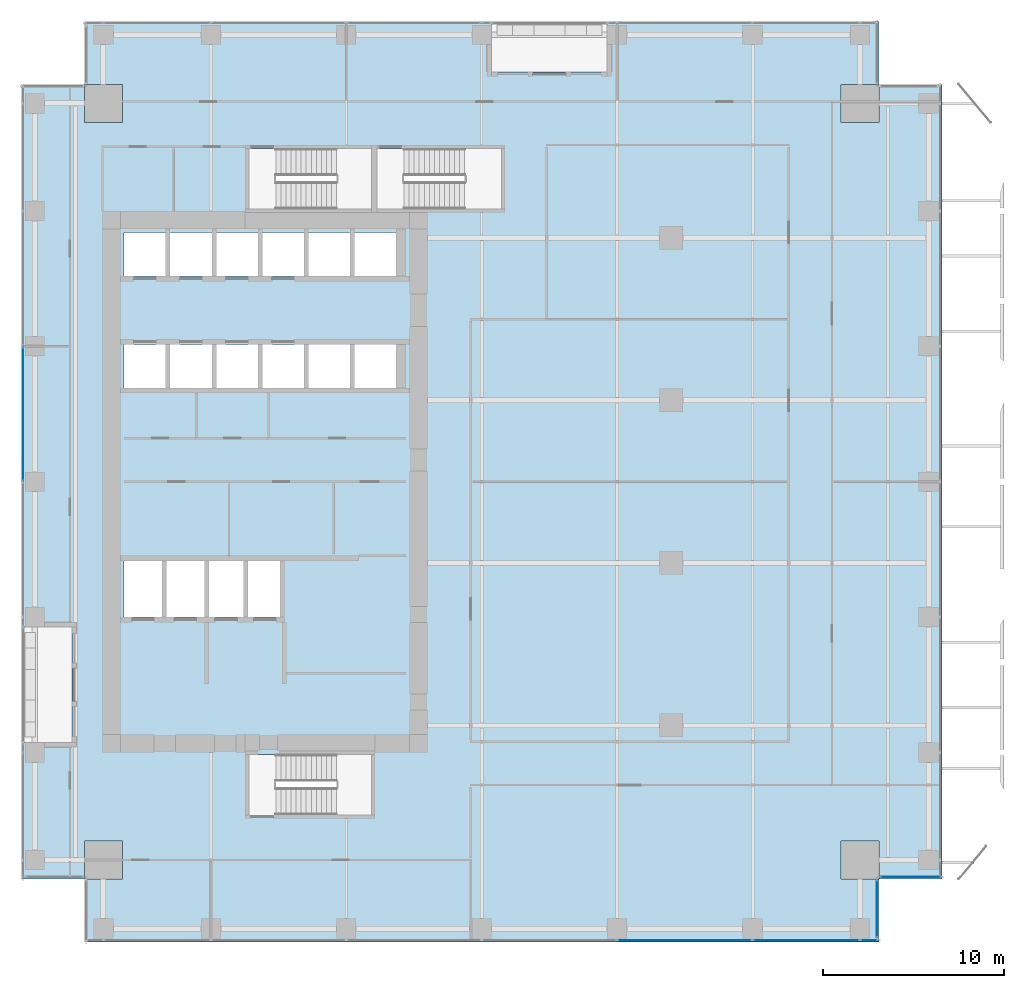
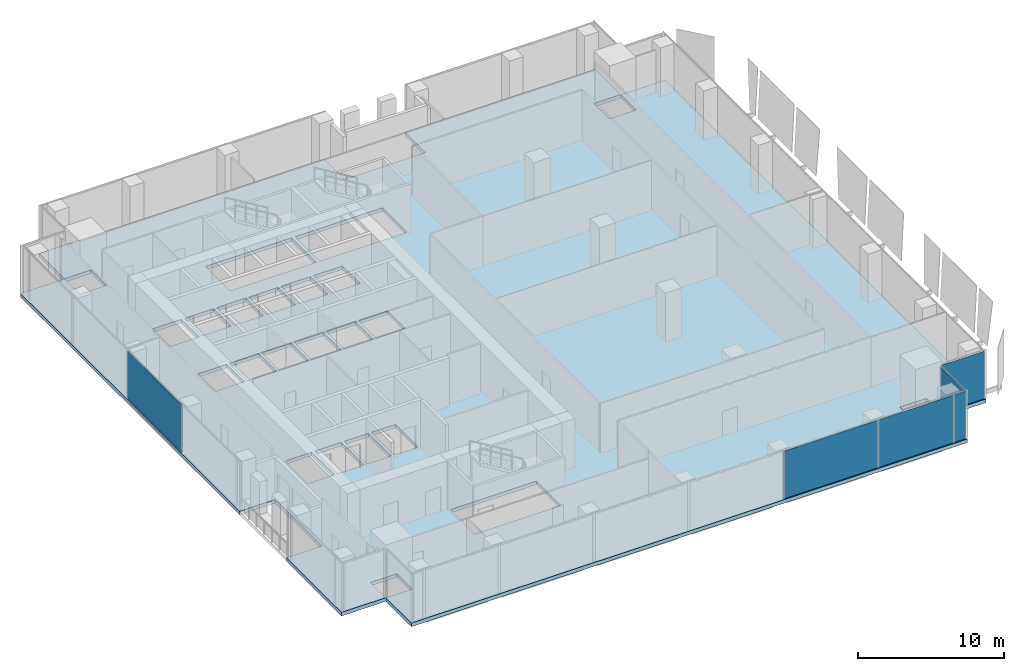
# One storey, part 23 of 33: 6 plates, 1 slab, 4 elements without a shape of their own.
"""IFC4 building model written with IfcOpenShell, lengths in metres."""

import ifcopenshell
import ifcopenshell.guid

model = None  # the IFC model being written
_history = None  # IfcOwnerHistory: only IFC2X3 demands one
_inside = {}  # id of a spatial element -> (the spatial element, [elements in it])
_under = {}  # id of a project, library or spatial element -> (it, [spatial elements below it])
_declared = {}  # id of a project -> (the project, [libraries it declares])
_typed = {}  # id of a type object -> (the type object, [elements of that type])
_made_of = {}  # id of a material, layer set ... -> (it, [elements and type objects made of it])


def new_model(schema):
    """Start an empty IFC model of exactly this schema.

    Asked for "IFC4X3", IfcOpenShell would pick the latest addendum, in which some entities
    have other attributes; the version numbers below select the first issue.
    IFC2X3 requires an IfcOwnerHistory on every rooted entity: one is made here for all.
    """
    global model, _history
    if schema == "IFC4X3":
        model = ifcopenshell.file(schema_version=(4, 3, 0, 0))
    else:
        model = ifcopenshell.file(schema=schema)
    _inside.clear()
    _under.clear()
    _declared.clear()
    _typed.clear()
    _made_of.clear()
    _history = None
    if model.schema == "IFC2X3":
        org = make("IfcOrganization", Name="unknown")
        user = make(
            "IfcPersonAndOrganization",
            ThePerson=make("IfcPerson", FamilyName="unknown"),
            TheOrganization=org,
        )
        app = make(
            "IfcApplication",
            ApplicationDeveloper=org,
            Version="unknown",
            ApplicationFullName="unknown",
            ApplicationIdentifier="unknown",
        )
        _history = make(
            "IfcOwnerHistory",
            OwningUser=user,
            OwningApplication=app,
            ChangeAction="ADDED",
            CreationDate=0,
        )
    return model


def make(cls, **values):
    """One entity of the class cls with the attributes given. An attribute that is None is left unset."""
    return model.create_entity(
        cls, **{name: value for name, value in values.items() if value is not None}
    )


def rooted(cls, **values):
    """An entity with a GlobalId (a new one), such as an element, a storey or a relation."""
    return make(cls, GlobalId=ifcopenshell.guid.new(), OwnerHistory=_history, **values)


def si_unit(unit_type, name, prefix=None):
    """IfcSIUnit, for example si_unit("LENGTHUNIT", "METRE", prefix="MILLI")."""
    return make("IfcSIUnit", UnitType=unit_type, Prefix=prefix, Name=name)


def assignment(units):
    """IfcUnitAssignment: the units of a project."""
    return None if units is None else make("IfcUnitAssignment", Units=units)


def point(xyz):
    """IfcCartesianPoint."""
    return None if xyz is None else make("IfcCartesianPoint", Coordinates=xyz)


def direction(xyz):
    """IfcDirection."""
    return None if xyz is None else make("IfcDirection", DirectionRatios=xyz)


def frame(location, z_axis=None, x_axis=None):
    """IfcAxis2Placement3D, a coordinate frame: its origin and axes. An axis left out is left unset."""
    return make(
        "IfcAxis2Placement3D",
        Location=point(location),
        Axis=direction(z_axis),
        RefDirection=direction(x_axis),
    )


def frame_2d(location, x_axis=None):
    """IfcAxis2Placement2D, a coordinate frame in the plane: its origin and x axis."""
    return make(
        "IfcAxis2Placement2D", Location=point(location), RefDirection=direction(x_axis)
    )


def origin():
    """The frame at (0, 0, 0) with its axes left unset."""
    return frame((0.0, 0.0, 0.0))


def origin_2d():
    """The frame at (0, 0) in the plane with its x axis left unset."""
    return frame_2d((0.0, 0.0))


def place(relative_to, where):
    """IfcLocalPlacement: puts the frame where relative to a parent placement (None: the world)."""
    return make(
        "IfcLocalPlacement", PlacementRelTo=relative_to, RelativePlacement=where
    )


def context(
    kind, dimensions, precision=None, world=None, true_north=None, identifier=None
):
    """IfcGeometricRepresentationContext, for example the 3D "Model" context."""
    return make(
        "IfcGeometricRepresentationContext",
        ContextIdentifier=identifier,
        ContextType=kind,
        CoordinateSpaceDimension=dimensions,
        Precision=precision,
        WorldCoordinateSystem=world,
        TrueNorth=true_north,
    )


def subcontext(parent, identifier, kind, view, scale=None):
    """IfcGeometricRepresentationSubContext, for example "Body" below "Model"."""
    return make(
        "IfcGeometricRepresentationSubContext",
        ContextIdentifier=identifier,
        ContextType=kind,
        ParentContext=parent,
        TargetScale=scale,
        TargetView=view,
    )


def project(units=None, contexts=None):
    """IfcProject with its units and contexts."""
    return rooted(
        "IfcProject",
        Name="project",
        RepresentationContexts=contexts,
        UnitsInContext=assignment(units),
    )


def spatial(cls, under=None, at=None, **own):
    """A site, building, storey or space (cls), placed at a placement, below another one or the project."""
    s = rooted(cls, ObjectPlacement=at, **own)
    if under is not None:
        _under.setdefault(under.id(), (under, []))[1].append(s)
    return s


def polyline(points):
    """IfcPolyline through the points."""
    return make("IfcPolyline", Points=[point(p) for p in points])


def profile(cls, at=None, kind="AREA", **sizes):
    """A parametric profile (cls). Its sizes go by their IFC names, for example OverallWidth=200.0."""
    return make(cls, ProfileType=kind, Position=at, **sizes)


def rectangle(**sizes):
    """IfcRectangleProfileDef."""
    return profile("IfcRectangleProfileDef", **sizes)


def outline(outer, holes=None, kind="AREA"):
    """IfcArbitraryClosedProfileDef: a profile drawn as a closed curve; with holes, ...WithVoids."""
    if holes is None:
        return make("IfcArbitraryClosedProfileDef", ProfileType=kind, OuterCurve=outer)
    return make(
        "IfcArbitraryProfileDefWithVoids",
        ProfileType=kind,
        OuterCurve=outer,
        InnerCurves=holes,
    )


def extrude(swept, where, along, depth):
    """IfcExtrudedAreaSolid: the profile swept, set in the frame where, extruded along a direction by depth."""
    return make(
        "IfcExtrudedAreaSolid",
        SweptArea=swept,
        Position=where,
        ExtrudedDirection=direction(along),
        Depth=depth,
    )


def shape(context_of_items, identifier, shape_type, items):
    """IfcShapeRepresentation: the items that make up one representation, for example the "Body"."""
    return make(
        "IfcShapeRepresentation",
        ContextOfItems=context_of_items,
        RepresentationIdentifier=identifier,
        RepresentationType=shape_type,
        Items=items,
    )


def source(mapping_origin, context_of_items, identifier, shape_type, items):
    """IfcRepresentationMap: a shape defined once, which mapped items show again and again."""
    return make(
        "IfcRepresentationMap",
        MappingOrigin=mapping_origin,
        MappedRepresentation=shape(context_of_items, identifier, shape_type, items),
    )


def transform(
    local_origin,
    x_axis=None,
    y_axis=None,
    z_axis=None,
    scale=None,
    scale2=None,
    scale3=None,
    uniform=True,
):
    """IfcCartesianTransformationOperator3D, or its non-uniform kind. x_axis, y_axis, z_axis: its Axis1, 2, 3."""
    if uniform:
        return make(
            "IfcCartesianTransformationOperator3D",
            Axis1=direction(x_axis),
            Axis2=direction(y_axis),
            LocalOrigin=point(local_origin),
            Scale=scale,
            Axis3=direction(z_axis),
        )
    return make(
        "IfcCartesianTransformationOperator3DnonUniform",
        Axis1=direction(x_axis),
        Axis2=direction(y_axis),
        LocalOrigin=point(local_origin),
        Scale=scale,
        Axis3=direction(z_axis),
        Scale2=scale2,
        Scale3=scale3,
    )


def mapped(mapping_source, mapping_target):
    """IfcMappedItem: shows the shape of a source again, moved by a transform."""
    return make(
        "IfcMappedItem", MappingSource=mapping_source, MappingTarget=mapping_target
    )


def material(Name=None, Category=None):
    """IfcMaterial."""
    return make("IfcMaterial", Name=Name, Category=Category)


def layer(
    of_material, thickness, ventilated=None, Name=None, Category=None, Priority=None
):
    """IfcMaterialLayer: one layer of a wall or slab, of a material (None: an air gap)."""
    return make(
        "IfcMaterialLayer",
        Material=of_material,
        LayerThickness=thickness,
        IsVentilated=ventilated,
        Name=Name,
        Category=Category,
        Priority=Priority,
    )


def layer_set(layers, Name=None):
    """IfcMaterialLayerSet."""
    return make("IfcMaterialLayerSet", MaterialLayers=layers, LayerSetName=Name)


def made_of(thing, what):
    """Note that an element or type object is made of a material, layer set ...; save() writes the relation."""
    if what is not None:
        _made_of.setdefault(what.id(), (what, []))[1].append(thing)
    return thing


def type_object(cls, material=None, **own):
    """A type object (cls), such as IfcWallType, which elements share."""
    return made_of(rooted(cls, **own), material)


def element(
    cls,
    number,
    at=None,
    inside=None,
    cuts=None,
    type_object=None,
    material=None,
    context=None,
    identifier="Body",
    shape_type=None,
    held_by="IfcProductDefinitionShape",
    body=None,
    shapes=None,
    **own,
):
    """One element of the class cls, such as IfcWall. Its Tag is "e" and its number.

    at: its placement. inside: the storey or other place that contains it. cuts: it is an
    opening in that element (IfcRelVoidsElement). A single representation is given by context,
    identifier, shape_type and body (its items); several are given by shapes. held_by: the class
    of the entity that holds the representations. save() writes the other relations.
    """
    e = rooted(cls, Tag="e%d" % number, ObjectPlacement=at, **own)
    if body is not None:
        shapes = [shape(context, identifier, shape_type, body)]
    if shapes is not None:
        e.Representation = make(held_by, Representations=shapes)
    if inside is not None:
        _inside.setdefault(inside.id(), (inside, []))[1].append(e)
    if cuts is not None:
        rooted(
            "IfcRelVoidsElement", RelatingBuildingElement=cuts, RelatedOpeningElement=e
        )
    if type_object is not None:
        _typed.setdefault(type_object.id(), (type_object, []))[1].append(e)
    return made_of(e, material)


def aggregate(whole, parts):
    """IfcRelAggregates: a whole, such as a stair, and the parts it consists of."""
    return rooted("IfcRelAggregates", RelatingObject=whole, RelatedObjects=parts)


def save(model, path):
    """Write the relations noted so far, then the file.

    IfcRelAggregates (storeys below a building ...), IfcRelContainedInSpatialStructure (elements
    in a storey), IfcRelDefinesByType, IfcRelAssociatesMaterial and IfcRelDeclares: one each for
    every whole, place, type object, material and project.
    """
    for whole, parts in _under.values():
        aggregate(whole, parts)
    for where, things in _inside.values():
        rooted(
            "IfcRelContainedInSpatialStructure",
            RelatedElements=things,
            RelatingStructure=where,
        )
    for kind, things in _typed.values():
        rooted("IfcRelDefinesByType", RelatedObjects=things, RelatingType=kind)
    for what, things in _made_of.values():
        rooted("IfcRelAssociatesMaterial", RelatedObjects=things, RelatingMaterial=what)
    for by, libraries in _declared.values():
        rooted("IfcRelDeclares", RelatingContext=by, RelatedDefinitions=libraries)
    model.write(path)


model = new_model("IFC4")

# Units and contexts
model_context = context("Model", 3, precision=1e-05, world=origin(), true_north=direction((0.0, 1.0)))
body_context = subcontext(model_context, "Body", "Model", "MODEL_VIEW")
ifc_project = project(units=[si_unit("LENGTHUNIT", "METRE"), si_unit("AREAUNIT", "SQUARE_METRE"), si_unit("VOLUMEUNIT", "CUBIC_METRE"), si_unit("PLANEANGLEUNIT", "RADIAN"), si_unit("MASSUNIT", "GRAM", prefix="KILO")], contexts=[model_context])

# Site, building, storey
site_placement = place(None, origin())
site = spatial("IfcSite", under=ifc_project, at=site_placement, CompositionType="ELEMENT")
building_placement = place(site_placement, origin())
building = spatial("IfcBuilding", under=site, at=building_placement, Name="Khomas Fold Tower", CompositionType="ELEMENT")
storey_placement = place(building_placement, frame((0.0, 0.0, 149.89990234375)))
storey = spatial("IfcBuildingStorey", under=building, at=storey_placement, Name="L32", CompositionType="ELEMENT", Elevation=149.89990234375)

# Slab
ifc_material_1 = material(Name="Concrete C40/50", Category="concrete")
ifc_layer_1 = layer(ifc_material_1, 0.300048828125)
ifc_layer_set_1 = layer_set([ifc_layer_1], Name="Concrete C40/50")
slab_type = type_object("IfcSlabType", Name="RC floor slab 300", PredefinedType="FLOOR", material=ifc_layer_set_1)
shared_shape_1 = source(origin(), body_context, "Body", "SweptSolid", [
    extrude(outline(polyline([(1.5, 5.0), (4.9951171875, 5.0), (4.9951171875, 7.10498046875), (7.10498046875, 7.10498046875), (7.10498046875, 4.9951171875), (5.0, 4.9951171875), (5.0, 1.5), (49.0, 1.5), (49.0, 4.9951171875), (46.89501953125, 4.9951171875), (46.89501953125, 7.10498046875), (49.0048828125, 7.10498046875), (49.0048828125, 5.0), (52.5, 5.0), (52.5, 49.0), (49.0048828125, 49.0), (49.0048828125, 46.89501953125), (46.89501953125, 46.89501953125), (46.89501953125, 49.0048828125), (49.0, 49.0048828125), (49.0, 52.5), (33.949951171875, 52.5), (33.949951171875, 49.699951171875), (27.550048828125, 49.699951171875), (27.550048828125, 52.5), (5.0, 52.5), (5.0, 49.0048828125), (7.10498046875, 49.0048828125), (7.10498046875, 46.89501953125), (4.9951171875, 46.89501953125), (4.9951171875, 49.0), (1.5, 49.0), (1.5, 18.949951171875), (4.300048828125, 18.949951171875), (4.300048828125, 12.550048828125), (1.5, 12.550048828125), (1.5, 5.0)]), holes=[polyline([(7.199951171875, 19.5), (7.199951171875, 22.60009765625), (9.300048828125, 22.60009765625), (9.300048828125, 19.5), (7.199951171875, 19.5)]), polyline([(7.199951171875, 32.199951171875), (7.199951171875, 34.60009765625), (9.5, 34.60009765625), (9.5, 32.199951171875), (7.199951171875, 32.199951171875)]), polyline([(7.199951171875, 38.39990234375), (7.199951171875, 40.800048828125), (9.5, 40.800048828125), (9.5, 38.39990234375), (7.199951171875, 38.39990234375)]), polyline([(9.550048828125, 19.5), (9.550048828125, 22.60009765625), (11.64990234375, 22.60009765625), (11.64990234375, 19.5), (9.550048828125, 19.5)]), polyline([(9.75, 32.199951171875), (9.75, 34.60009765625), (12.050048828125, 34.60009765625), (12.050048828125, 32.199951171875), (9.75, 32.199951171875)]), polyline([(9.75, 38.39990234375), (9.75, 40.800048828125), (12.050048828125, 40.800048828125), (12.050048828125, 38.39990234375), (9.75, 38.39990234375)]), polyline([(11.89990234375, 19.5), (11.89990234375, 22.60009765625), (13.800048828125, 22.60009765625), (13.800048828125, 19.5), (11.89990234375, 19.5)]), polyline([(12.300048828125, 32.199951171875), (12.300048828125, 34.60009765625), (14.60009765625, 34.60009765625), (14.60009765625, 32.199951171875), (12.300048828125, 32.199951171875)]), polyline([(12.300048828125, 38.39990234375), (12.300048828125, 40.800048828125), (14.60009765625, 40.800048828125), (14.60009765625, 38.39990234375), (12.300048828125, 38.39990234375)]), polyline([(14.050048828125, 19.5), (14.050048828125, 22.60009765625), (15.949951171875, 22.60009765625), (15.949951171875, 19.5), (14.050048828125, 19.5)]), polyline([(14.10009765625, 8.550048828125), (14.10009765625, 11.89990234375), (20.89990234375, 11.89990234375), (20.89990234375, 8.550048828125), (14.10009765625, 8.550048828125)]), polyline([(14.10009765625, 42.10009765625), (14.10009765625, 45.449951171875), (20.89990234375, 45.449951171875), (20.89990234375, 42.10009765625), (14.10009765625, 42.10009765625)]), polyline([(14.85009765625, 32.199951171875), (14.85009765625, 34.60009765625), (17.14990234375, 34.60009765625), (17.14990234375, 32.199951171875), (14.85009765625, 32.199951171875)]), polyline([(14.85009765625, 38.39990234375), (14.85009765625, 40.800048828125), (17.14990234375, 40.800048828125), (17.14990234375, 38.39990234375), (14.85009765625, 38.39990234375)]), polyline([(17.39990234375, 32.199951171875), (17.39990234375, 34.60009765625), (19.699951171875, 34.60009765625), (19.699951171875, 32.199951171875), (17.39990234375, 32.199951171875)]), polyline([(17.39990234375, 38.39990234375), (17.39990234375, 40.800048828125), (19.699951171875, 40.800048828125), (19.699951171875, 38.39990234375), (17.39990234375, 38.39990234375)]), polyline([(19.949951171875, 32.199951171875), (19.949951171875, 34.60009765625), (22.25, 34.60009765625), (22.25, 32.199951171875), (19.949951171875, 32.199951171875)]), polyline([(19.949951171875, 38.39990234375), (19.949951171875, 40.800048828125), (22.25, 40.800048828125), (22.25, 38.39990234375), (19.949951171875, 38.39990234375)]), polyline([(21.199951171875, 42.10009765625), (21.199951171875, 45.449951171875), (28.10009765625, 45.449951171875), (28.10009765625, 42.10009765625), (21.199951171875, 42.10009765625)])]), origin(), (0.0, 0.0, 1.0), 0.2998046875),
])
slab_placement = place(storey_placement, frame((0.0, 0.0, -0.2998046875)))
element("IfcSlab", 1, at=slab_placement, inside=storey, type_object=slab_type, Name="S-L32", PredefinedType="FLOOR", context=body_context, shape_type="MappedRepresentation", body=[
    mapped(shared_shape_1, transform((0.0, 0.0, 0.0))),
])

# Curtain wall, plates
ifc_material_2 = material(Name="Aluminium framed double glazing", Category="aluminium")
curtain_wall_type = type_object("IfcCurtainWallType", Name="SK-Unitised clear-glass wall, growing floors CW1", PredefinedType="NOTDEFINED", material=ifc_material_2)
curtain_wall_1_placement = place(storey_placement, origin())
curtain_wall_1 = element("IfcCurtainWall", 2, at=curtain_wall_1_placement, inside=storey, type_object=curtain_wall_type, Name="CW1 run L32 00-0", PredefinedType="NOTDEFINED")
ifc_material_3 = material(Name="Clear double glazed unit")
ifc_layer_2 = layer(ifc_material_3, 0.031982421875)
ifc_layer_set_2 = layer_set([ifc_layer_2], Name="Clear double glazed unit")
plate_type = type_object("IfcPlateType", Name="SK-Unitised clear-glass wall, growing floors glass panel CW1-P", PredefinedType="CURTAIN_PANEL", material=ifc_layer_set_2)
shared_shape_2 = source(origin(), body_context, "Body", "SweptSolid", [
    extrude(rectangle(XDim=5.889892578125, YDim=0.031982421875, at=origin_2d()), origin(), (0.0, 0.0, 1.0), 3.97998046875),
])
plate_1_placement = place(storey_placement, frame((44.97509765625, 1.60009765625, 0.0), z_axis=(0.0, 0.0, 1.0), x_axis=(1.0, 0.0, 0.0)))
plate_1 = element("IfcPlate", 3, at=plate_1_placement, type_object=plate_type, Name="CW1 glass panel 7", PredefinedType="CURTAIN_PANEL", context=body_context, shape_type="MappedRepresentation", body=[
    mapped(shared_shape_2, transform((0.0, 0.0, 0.0))),
])
shared_shape_3 = source(origin(), body_context, "Body", "SweptSolid", [
    extrude(rectangle(XDim=7.43994140625, YDim=0.031982421875, at=origin_2d()), origin(), (0.0, 0.0, 1.0), 3.97998046875),
])
plate_2_placement = place(storey_placement, frame((38.25, 1.60009765625, 0.0), z_axis=(0.0, 0.0, 1.0), x_axis=(1.0, 0.0, 0.0)))
plate_2 = element("IfcPlate", 4, at=plate_2_placement, type_object=plate_type, Name="CW1 glass panel 6", PredefinedType="CURTAIN_PANEL", context=body_context, shape_type="MappedRepresentation", body=[
    mapped(shared_shape_3, transform((0.0, 0.0, 0.0))),
])

# Curtain wall, plate
curtain_wall_2_placement = place(storey_placement, origin())
curtain_wall_2 = element("IfcCurtainWall", 5, at=curtain_wall_2_placement, inside=storey, type_object=curtain_wall_type, Name="CW1 run L32 09-0", PredefinedType="NOTDEFINED")
plate_3_placement = place(storey_placement, frame((1.60009765625, 30.75, 0.0), z_axis=(0.0, 0.0, 1.0), x_axis=(0.0, -1.0, 0.0)))
plate_3 = element("IfcPlate", 6, at=plate_3_placement, type_object=plate_type, Name="CW1 glass panel 4", PredefinedType="CURTAIN_PANEL", context=body_context, shape_type="MappedRepresentation", body=[
    mapped(shared_shape_3, transform((0.0, 0.0, 0.0))),
])
aggregate(curtain_wall_2, [plate_3])

# Plate
shared_shape_4 = source(origin(), body_context, "Body", "SweptSolid", [
    extrude(rectangle(XDim=0.9599609375, YDim=0.031982421875, at=origin_2d()), origin(), (0.0, 0.0, 1.0), 3.97998046875),
])
plate_4_placement = place(storey_placement, frame((48.4599609375, 1.60009765625, 0.0), z_axis=(0.0, 0.0, 1.0), x_axis=(1.0, 0.0, 0.0)))
plate_4 = element("IfcPlate", 7, at=plate_4_placement, type_object=plate_type, Name="CW1 glass panel 8", PredefinedType="CURTAIN_PANEL", context=body_context, shape_type="MappedRepresentation", body=[
    mapped(shared_shape_4, transform((0.0, 0.0, 0.0))),
])

aggregate(curtain_wall_1, [plate_2, plate_1, plate_4])

# Curtain wall, plate
curtain_wall_3_placement = place(storey_placement, origin())
curtain_wall_3 = element("IfcCurtainWall", 8, at=curtain_wall_3_placement, inside=storey, type_object=curtain_wall_type, Name="CW1 corner return L32 01", PredefinedType="NOTDEFINED")
shared_shape_5 = source(origin(), body_context, "Body", "SweptSolid", [
    extrude(rectangle(XDim=3.179931640625, YDim=0.031982421875, at=origin_2d()), origin(), (0.0, 0.0, 1.0), 3.97998046875),
])
plate_5_placement = place(storey_placement, frame((48.89990234375, 3.35009765625, 0.0), z_axis=(0.0, 0.0, 1.0), x_axis=(0.0, 1.0, 0.0)))
plate_5 = element("IfcPlate", 9, at=plate_5_placement, type_object=plate_type, Name="CW1 glass panel 1", PredefinedType="CURTAIN_PANEL", context=body_context, shape_type="MappedRepresentation", body=[
    mapped(shared_shape_5, transform((0.0, 0.0, 0.0))),
])
aggregate(curtain_wall_3, [plate_5])

curtain_wall_4_placement = place(storey_placement, origin())
curtain_wall_4 = element("IfcCurtainWall", 10, at=curtain_wall_4_placement, inside=storey, type_object=curtain_wall_type, Name="CW1 corner return L32 02", PredefinedType="NOTDEFINED")
shared_shape_6 = source(origin(), body_context, "Body", "SweptSolid", [
    extrude(rectangle(XDim=3.3798828125, YDim=0.031982421875, at=origin_2d()), origin(), (0.0, 0.0, 1.0), 3.97998046875),
])
plate_6_placement = place(storey_placement, frame((50.75, 5.10009765625, 0.0), z_axis=(0.0, 0.0, 1.0), x_axis=(1.0, 0.0, 0.0)))
plate_6 = element("IfcPlate", 11, at=plate_6_placement, type_object=plate_type, Name="CW1 glass panel 1", PredefinedType="CURTAIN_PANEL", context=body_context, shape_type="MappedRepresentation", body=[
    mapped(shared_shape_6, transform((0.0, 0.0, 0.0))),
])
aggregate(curtain_wall_4, [plate_6])

save(model, "model.ifc")
